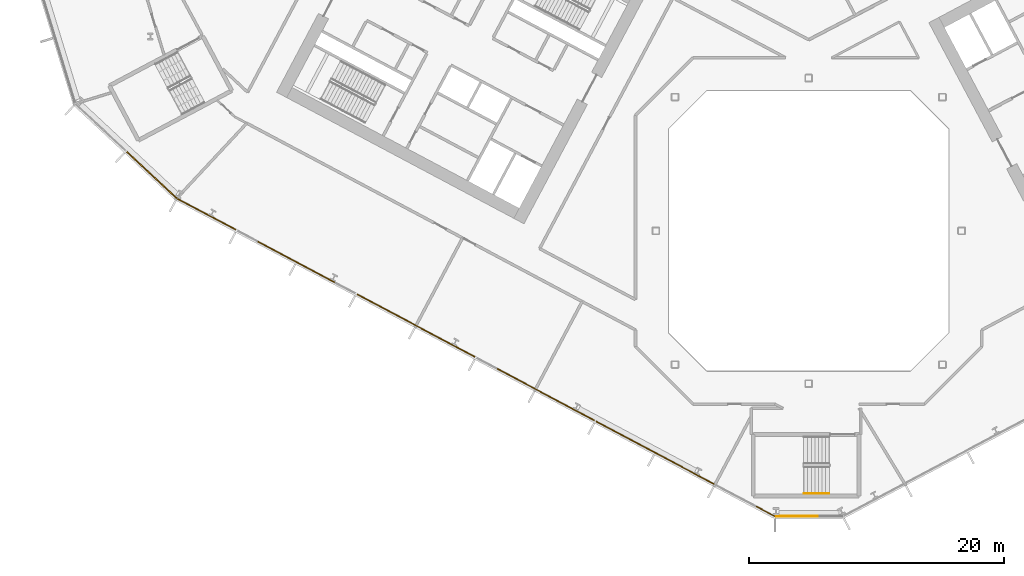
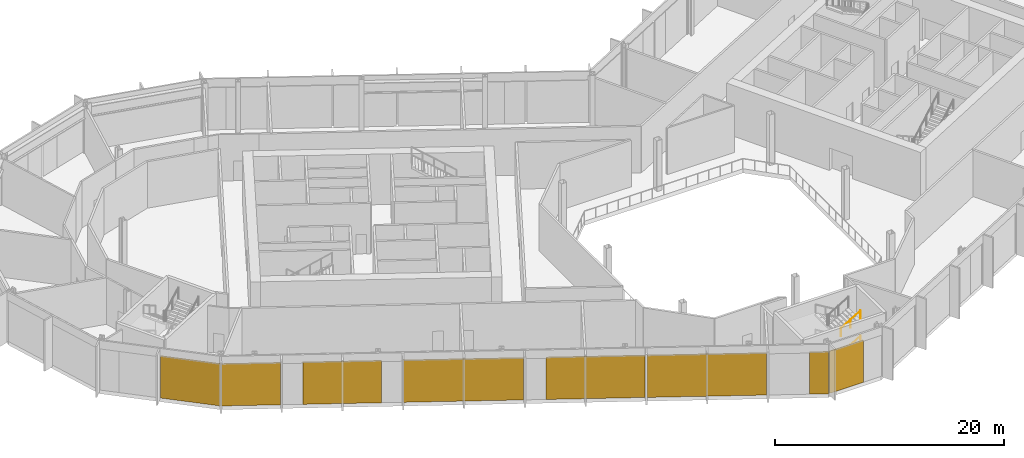
# One storey, part 20 of 32: 8 coverings, 2 railings, 3 elements without a shape of their own.
"""IFC4 building model written with IfcOpenShell, lengths in metres."""

from ifc_helpers import new_model, si_unit, direction, frame, origin, origin_2d, place, context, subcontext, project, spatial, polyline, rectangle, outline, extrude, material, layer, layer_set, type_object, element, aggregate, save


model = new_model("IFC4")

# Units and contexts
model_context = context("Model", 3, precision=1e-05, world=origin(), true_north=direction((0.0, 1.0)))
body_context = subcontext(model_context, "Body", "Model", "MODEL_VIEW")
ifc_project = project(units=[si_unit("LENGTHUNIT", "METRE"), si_unit("AREAUNIT", "SQUARE_METRE"), si_unit("VOLUMEUNIT", "CUBIC_METRE"), si_unit("PLANEANGLEUNIT", "RADIAN"), si_unit("MASSUNIT", "GRAM", prefix="KILO")], contexts=[model_context])

# Site, building, storey
site_placement = place(None, origin())
site = spatial("IfcSite", under=ifc_project, at=site_placement, CompositionType="ELEMENT")
building_placement = place(site_placement, origin())
building = spatial("IfcBuilding", under=site, at=building_placement, Name="Cormorant Relay Tower", CompositionType="ELEMENT")
storey_placement = place(building_placement, frame((0.0, 0.0, 17.60009765625)))
storey = spatial("IfcBuildingStorey", under=building, at=storey_placement, Name="L03", CompositionType="ELEMENT", Elevation=17.60009765625)

# Curtain wall, covering
ifc_material_1 = material(Name="Aluminium 6063-T6 anodised bronze", Category="aluminium")
ifc_layer_1 = layer(ifc_material_1, 0.235107421875)
ifc_layer_set_1 = layer_set([ifc_layer_1], Name="CW6 data hall curtain wall with mineral wool panels")
curtain_wall_type = type_object("IfcCurtainWallType", Name="CW6 data hall curtain wall with mineral wool panels", PredefinedType="NOTDEFINED", material=ifc_layer_set_1)
curtain_wall_1_placement = place(storey_placement, origin())
curtain_wall_1 = element("IfcCurtainWall", 1, at=curtain_wall_1_placement, inside=storey, type_object=curtain_wall_type, Name="CW6 curtain wall 1", PredefinedType="NOTDEFINED")
ifc_material_2 = material(Name="Mineral wool cored anodised bronze aluminium cassette panel", Category="aluminium")
ifc_layer_2 = layer(ifc_material_2, 0.074951171875)
ifc_layer_set_2 = layer_set([ifc_layer_2], Name="CW6 mineral wool cassette panel 75")
covering_type = type_object("IfcCoveringType", Name="CW6 mineral wool cassette panel 75", PredefinedType="CLADDING", material=ifc_layer_set_2)
covering_1_placement = place(storey_placement, frame((-0.862548828125, -22.4130859375, 0.0), z_axis=(0.0, 0.0, 1.0), x_axis=(1.0, 0.0, 0.0)))
covering_1 = element("IfcCovering", 2, at=covering_1_placement, type_object=covering_type, Name="CW6 panel S00", PredefinedType="CLADDING", context=body_context, shape_type="SweptSolid", body=[
    extrude(rectangle(XDim=3.422607421875, YDim=0.074951171875, at=origin_2d()), origin(), (0.0, 0.0, 1.0), 4.5),
])
aggregate(curtain_wall_1, [covering_1])

curtain_wall_2_placement = place(storey_placement, origin())
curtain_wall_2 = element("IfcCurtainWall", 3, at=curtain_wall_2_placement, inside=storey, type_object=curtain_wall_type, Name="CW6 curtain wall 13", PredefinedType="NOTDEFINED")
covering_2_placement = place(storey_placement, frame((-51.5771484375, 4.384765625, 0.0), z_axis=(0.0, 0.0, 1.0), x_axis=(0.731353701619, -0.681998360062, 0.0)))
covering_2 = element("IfcCovering", 4, at=covering_2_placement, type_object=covering_type, Name="CW6 panel S02", PredefinedType="CLADDING", context=body_context, shape_type="SweptSolid", body=[
    extrude(rectangle(XDim=5.360107421875, YDim=0.074951171875, at=origin_2d()), origin(), (0.0, 0.0, 1.0), 4.5),
])
aggregate(curtain_wall_2, [covering_2])

# Curtain wall, coverings
curtain_wall_3_placement = place(storey_placement, origin())
curtain_wall_3 = element("IfcCurtainWall", 5, at=curtain_wall_3_placement, inside=storey, type_object=curtain_wall_type, Name="CW6 curtain wall 14", PredefinedType="NOTDEFINED")
covering_3_placement = place(storey_placement, frame((-47.261962890625, 1.30322265625, 0.0), z_axis=(0.0, 0.0, 1.0), x_axis=(0.882947592859, -0.469471562786, 0.0)))
covering_3 = element("IfcCovering", 6, at=covering_3_placement, type_object=covering_type, Name="CW6 panel S00", PredefinedType="CLADDING", context=body_context, shape_type="SweptSolid", body=[
    extrude(rectangle(XDim=5.16650390625, YDim=0.074951171875, at=origin_2d()), origin(), (0.0, 0.0, 1.0), 4.5),
])
covering_4_placement = place(storey_placement, frame((-40.220703125, -2.44091796875, 0.0), z_axis=(0.0, 0.0, 1.0), x_axis=(0.882947592859, -0.469471562786, 0.0)))
covering_4 = element("IfcCovering", 7, at=covering_4_placement, type_object=covering_type, Name="CW6 panel S02", PredefinedType="CLADDING", context=body_context, shape_type="SweptSolid", body=[
    extrude(rectangle(XDim=6.88330078125, YDim=0.074951171875, at=origin_2d()), origin(), (0.0, 0.0, 1.0), 4.5),
])
covering_5_placement = place(storey_placement, frame((-30.83203125, -7.4326171875, 0.0), z_axis=(0.0, 0.0, 1.0), x_axis=(0.882947592859, -0.469471562786, 0.0)))
covering_5 = element("IfcCovering", 8, at=covering_5_placement, type_object=covering_type, Name="CW6 panel S04", PredefinedType="CLADDING", context=body_context, shape_type="SweptSolid", body=[
    extrude(rectangle(XDim=10.483154296875, YDim=0.074951171875, at=origin_2d()), origin(), (0.0, 0.0, 1.0), 4.5),
])
covering_6_placement = place(storey_placement, frame((-20.64892578125, -12.84716796875, 0.0), z_axis=(0.0, 0.0, 1.0), x_axis=(0.882947592859, -0.469471562786, 0.0)))
covering_6 = element("IfcCovering", 9, at=covering_6_placement, type_object=covering_type, Name="CW6 panel S06", PredefinedType="CLADDING", context=body_context, shape_type="SweptSolid", body=[
    extrude(rectangle(XDim=8.68310546875, YDim=0.074951171875, at=origin_2d()), origin(), (0.0, 0.0, 1.0), 4.5),
])
covering_7_placement = place(storey_placement, frame((-12.054931640625, -17.416748046875, 0.0), z_axis=(0.0, 0.0, 1.0), x_axis=(0.882947592859, -0.469471562786, 0.0)))
covering_7 = element("IfcCovering", 10, at=covering_7_placement, type_object=covering_type, Name="CW6 panel S07", PredefinedType="CLADDING", context=body_context, shape_type="SweptSolid", body=[
    extrude(rectangle(XDim=10.483154296875, YDim=0.074951171875, at=origin_2d()), origin(), (0.0, 0.0, 1.0), 4.5),
])
covering_8_placement = place(storey_placement, frame((-3.39111328125, -22.023193359375, 0.0), z_axis=(0.0, 0.0, 1.0), x_axis=(0.882947592859, -0.469471562786, 0.0)))
covering_8 = element("IfcCovering", 11, at=covering_8_placement, type_object=covering_type, Name="CW6 panel S09", PredefinedType="CLADDING", context=body_context, shape_type="SweptSolid", body=[
    extrude(rectangle(XDim=1.6416015625, YDim=0.074951171875, at=origin_2d()), origin(), (0.0, 0.0, 1.0), 4.5),
])
aggregate(curtain_wall_3, [covering_3, covering_4, covering_5, covering_6, covering_7, covering_8])

# Railings
ifc_material_3 = material(Name="Steel ASTM A572 Grade 50 (Fy 345 MPa)", Category="steel")
railing_type = type_object("IfcRailingType", Name="Stair handrail 900", PredefinedType="HANDRAIL", material=ifc_material_3)
railing_1_placement = place(storey_placement, frame((-0.360107421875, -20.625, 1.5185546875)))
element("IfcRailing", 12, at=railing_1_placement, inside=storey, type_object=railing_type, Name="L03 RK1 stair handrail 2", PredefinedType="HANDRAIL", context=body_context, shape_type="SweptSolid", body=[
    extrude(outline(polyline([(0.022216796875, 0.00927734375), (0.00927734375, 0.022216796875), (-0.00927734375, 0.022216796875), (-0.022216796875, 0.00927734375), (-0.022216796875, -0.00927734375), (-0.00927734375, -0.022216796875), (0.00927734375, -0.022216796875), (0.022216796875, -0.00927734375), (0.022216796875, 0.00927734375)])), frame((0.0, 0.0, 0.8759765625), z_axis=(0.856474724393, 0.0, 0.516188963923), x_axis=(0.0, 1.0, 0.0)), (0.0, 0.0, 1.0), 2.28857421875),
    extrude(outline(polyline([(0.019287109375, 0.008056640625), (0.008056640625, 0.019287109375), (-0.008056640625, 0.019287109375), (-0.019287109375, 0.008056640625), (-0.019287109375, -0.008056640625), (-0.008056640625, -0.019287109375), (0.008056640625, -0.019287109375), (0.019287109375, -0.008056640625), (0.019287109375, 0.008056640625)])), origin(), (0.0, 0.0, 1.0), 0.851806640625),
    extrude(outline(polyline([(0.019287109375, 0.008056640625), (0.008056640625, 0.019287109375), (-0.008056640625, 0.019287109375), (-0.019287109375, 0.008056640625), (-0.019287109375, -0.008056640625), (-0.008056640625, -0.019287109375), (0.008056640625, -0.019287109375), (0.019287109375, -0.008056640625), (0.019287109375, 0.008056640625)])), frame((0.97998046875, 0.0, 0.5908203125)), (0.0, 0.0, 1.0), 0.851806640625),
    extrude(outline(polyline([(0.019287109375, 0.008056640625), (0.008056640625, 0.019287109375), (-0.008056640625, 0.019287109375), (-0.019287109375, 0.008056640625), (-0.019287109375, -0.008056640625), (-0.008056640625, -0.019287109375), (0.008056640625, -0.019287109375), (0.019287109375, -0.008056640625), (0.019287109375, 0.008056640625)])), frame((1.960205078125, 0.0, 1.181396484375)), (0.0, 0.0, 1.0), 0.851806640625),
])
railing_2_placement = place(storey_placement, frame((-0.360107421875, -20.625, 4.21875)))
element("IfcRailing", 13, at=railing_2_placement, inside=storey, type_object=railing_type, Name="L03 RK1 stair handrail 4", PredefinedType="HANDRAIL", context=body_context, shape_type="SweptSolid", body=[
    extrude(outline(polyline([(0.022216796875, 0.00927734375), (0.00927734375, 0.022216796875), (-0.00927734375, 0.022216796875), (-0.022216796875, 0.00927734375), (-0.022216796875, -0.00927734375), (-0.00927734375, -0.022216796875), (0.00927734375, -0.022216796875), (0.022216796875, -0.00927734375), (0.022216796875, 0.00927734375)])), frame((0.0, 0.0, 0.8759765625), z_axis=(0.856521883693, 0.0, 0.516110707847), x_axis=(0.0, 1.0, 0.0)), (0.0, 0.0, 1.0), 2.28857421875),
    extrude(outline(polyline([(0.019287109375, 0.008056640625), (0.008056640625, 0.019287109375), (-0.008056640625, 0.019287109375), (-0.019287109375, 0.008056640625), (-0.019287109375, -0.008056640625), (-0.008056640625, -0.019287109375), (0.008056640625, -0.019287109375), (0.019287109375, -0.008056640625), (0.019287109375, 0.008056640625)])), origin(), (0.0, 0.0, 1.0), 0.851806640625),
    extrude(outline(polyline([(0.019287109375, 0.008056640625), (0.008056640625, 0.019287109375), (-0.008056640625, 0.019287109375), (-0.019287109375, 0.008056640625), (-0.019287109375, -0.008056640625), (-0.008056640625, -0.019287109375), (0.008056640625, -0.019287109375), (0.019287109375, -0.008056640625), (0.019287109375, 0.008056640625)])), frame((0.97998046875, 0.0, 0.590576171875)), (0.0, 0.0, 1.0), 0.851806640625),
    extrude(outline(polyline([(0.019287109375, 0.008056640625), (0.008056640625, 0.019287109375), (-0.008056640625, 0.019287109375), (-0.019287109375, 0.008056640625), (-0.019287109375, -0.008056640625), (-0.008056640625, -0.019287109375), (0.008056640625, -0.019287109375), (0.019287109375, -0.008056640625), (0.019287109375, 0.008056640625)])), frame((1.960205078125, 0.0, 1.18115234375)), (0.0, 0.0, 1.0), 0.851806640625),
])

save(model, "model.ifc")
